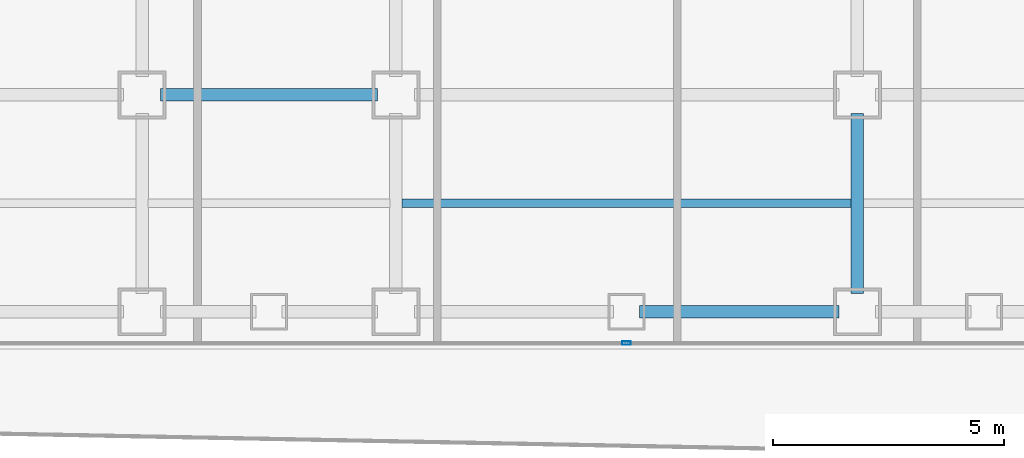
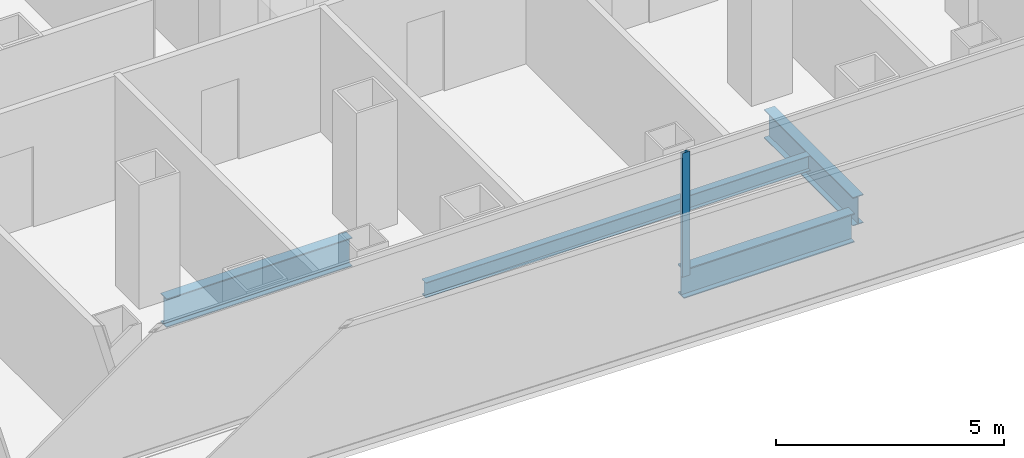
# One storey, part 4 of 22: 4 beams, 1 member, 1 element without a shape of its own.
"""IFC4 building model written with IfcOpenShell, lengths in metres."""

from ifc_helpers import new_model, si_unit, direction, frame, origin, origin_2d, place, context, subcontext, project, spatial, hollow_rectangle, i_section, extrude, source, transform, mapped, material, layer, layer_set, material_profile, profile_set, type_object, element, aggregate, save


model = new_model("IFC4")

# Units and contexts
model_context = context("Model", 3, precision=1e-05, world=origin(), true_north=direction((0.0, 1.0)))
body_context = subcontext(model_context, "Body", "Model", "MODEL_VIEW")
ifc_project = project(units=[si_unit("LENGTHUNIT", "METRE"), si_unit("AREAUNIT", "SQUARE_METRE"), si_unit("VOLUMEUNIT", "CUBIC_METRE"), si_unit("PLANEANGLEUNIT", "RADIAN"), si_unit("MASSUNIT", "GRAM", prefix="KILO")], contexts=[model_context])

# Site, building, storey
site_placement = place(None, origin())
site = spatial("IfcSite", under=ifc_project, at=site_placement, CompositionType="ELEMENT")
building_placement = place(site_placement, origin())
building = spatial("IfcBuilding", under=site, at=building_placement, Name="Kolveth Station Tower", CompositionType="ELEMENT")
storey_placement = place(building_placement, frame((0.0, 0.0, 51.300048828125)))
storey = spatial("IfcBuildingStorey", under=building, at=storey_placement, Name="L13", CompositionType="ELEMENT", Elevation=51.300048828125)

# Beams
ifc_material_1 = material(Name="Steel S355", Category="steel")
ifc_material_profile_1 = material_profile(ifc_material_1, i_section(OverallWidth=0.26904296875, OverallDepth=0.77490234375, WebThickness=0.01708984375, FlangeThickness=0.0283203125, at=origin_2d()), Name="W760x220")
ifc_profile_set_1 = profile_set([ifc_material_profile_1], Name="Steel S355")
beam_type_1 = type_object("IfcBeamType", Name="Beam_SP1", PredefinedType="SPANDREL", material=ifc_profile_set_1)
shared_shape_1 = source(origin(), body_context, "Body", "SweptSolid", [
    extrude(i_section(OverallWidth=0.26904296875, OverallDepth=0.77490234375, WebThickness=0.01708984375, FlangeThickness=0.0283203125, at=origin_2d()), origin(), (0.0, 0.0, 1.0), 4.320068359375),
])
beam_1_placement = place(storey_placement, frame((23.780029296875, 0.800048828125, -0.66748046875), z_axis=(1.0, 0.0, 0.0), x_axis=(0.0, 1.0, 0.0)))
element("IfcBeam", 1, at=beam_1_placement, inside=storey, type_object=beam_type_1, Name="L13 Perimeter Spandrel BM-L13-PS-6", PredefinedType="SPANDREL", context=body_context, shape_type="MappedRepresentation", body=[
    mapped(shared_shape_1, transform((0.0, 0.0, 0.0), x_axis=(1.0, 0.0, 0.0), y_axis=(0.0, 1.0, 0.0), z_axis=(0.0, 0.0, 1.0), scale=1.0)),
])
ifc_material_profile_2 = material_profile(ifc_material_1, i_section(OverallWidth=0.26708984375, OverallDepth=0.76611328125, WebThickness=0.014892578125, FlangeThickness=0.023681640625, at=origin_2d()), Name="W760x185")
ifc_profile_set_2 = profile_set([ifc_material_profile_2], Name="Steel S355")
beam_type_2 = type_object("IfcBeamType", Name="Beam_B3", PredefinedType="BEAM", material=ifc_profile_set_2)
shared_shape_2 = source(origin(), body_context, "Body", "SweptSolid", [
    extrude(i_section(OverallWidth=0.26708984375, OverallDepth=0.76611328125, WebThickness=0.014892578125, FlangeThickness=0.023681640625, at=origin_2d()), origin(), (0.0, 0.0, 1.0), 4.7001953125),
])
beam_2_placement = place(storey_placement, frame((13.39990234375, 5.5, -0.6630859375), z_axis=(1.0, 0.0, 0.0), x_axis=(0.0, 1.0, 0.0)))
element("IfcBeam", 2, at=beam_2_placement, inside=storey, type_object=beam_type_2, Name="L13 Primary Girder BM-L13-GY55-3", PredefinedType="BEAM", context=body_context, shape_type="MappedRepresentation", body=[
    mapped(shared_shape_2, transform((0.0, 0.0, 0.0), x_axis=(1.0, 0.0, 0.0), y_axis=(0.0, 1.0, 0.0), z_axis=(0.0, 0.0, 1.0), scale=1.0)),
])
shared_shape_3 = source(origin(), body_context, "Body", "SweptSolid", [
    extrude(i_section(OverallWidth=0.26708984375, OverallDepth=0.76611328125, WebThickness=0.014892578125, FlangeThickness=0.023681640625, at=origin_2d()), origin(), (0.0, 0.0, 1.0), 3.900146484375),
])
beam_3_placement = place(storey_placement, frame((28.5, 1.199951171875, -0.6630859375), z_axis=(0.0, 1.0, 0.0), x_axis=(-1.0, 0.0, 0.0)))
element("IfcBeam", 3, at=beam_3_placement, inside=storey, type_object=beam_type_2, Name="L13 Primary Girder BM-L13-GX285-1", PredefinedType="BEAM", context=body_context, shape_type="MappedRepresentation", body=[
    mapped(shared_shape_3, transform((0.0, 0.0, 0.0), x_axis=(1.0, 0.0, 0.0), y_axis=(0.0, 1.0, 0.0), z_axis=(0.0, 0.0, 1.0), scale=1.0)),
])
ifc_material_profile_3 = material_profile(ifc_material_1, i_section(OverallWidth=0.177978515625, OverallDepth=0.406982421875, WebThickness=0.0078125, FlangeThickness=0.0126953125, at=origin_2d()), Name="W410x60")
ifc_profile_set_3 = profile_set([ifc_material_profile_3], Name="Steel S355")
beam_type_3 = type_object("IfcBeamType", Name="Beam_J1", PredefinedType="JOIST", material=ifc_profile_set_3)
shared_shape_4 = source(origin(), body_context, "Body", "SweptSolid", [
    extrude(i_section(OverallWidth=0.177978515625, OverallDepth=0.406982421875, WebThickness=0.0078125, FlangeThickness=0.0126953125, at=origin_2d()), origin(), (0.0, 0.0, 1.0), 9.73681640625),
])
beam_4_placement = place(storey_placement, frame((18.631591796875, 3.14990234375, -0.483642578125), z_axis=(1.0, 0.0, 0.0), x_axis=(0.0, 1.0, 0.0)))
element("IfcBeam", 4, at=beam_4_placement, inside=storey, type_object=beam_type_3, Name="L13 Secondary Joist JST-L13-4-1", PredefinedType="JOIST", context=body_context, shape_type="MappedRepresentation", body=[
    mapped(shared_shape_4, transform((0.0, 0.0, 0.0), x_axis=(1.0, 0.0, 0.0), y_axis=(0.0, 1.0, 0.0), z_axis=(0.0, 0.0, 1.0), scale=1.0)),
])

# Curtain wall, member
ifc_material_2 = material(Name="Aluminium 6063-T6 and low-E dark glass", Category="aluminium")
ifc_layer = layer(ifc_material_2, 0.179931640625)
ifc_layer_set = layer_set([ifc_layer], Name="Aluminium 6063-T6 and low-E dark glass")
curtain_wall_type = type_object("IfcCurtainWallType", Name="CurtainWall_CW-Z1", PredefinedType="NOTDEFINED", material=ifc_layer_set)
curtain_wall_placement = place(storey_placement, origin())
curtain_wall = element("IfcCurtainWall", 5, at=curtain_wall_placement, inside=storey, type_object=curtain_wall_type, Name="L13 Inner Thermal Curtain Wall 12", PredefinedType="NOTDEFINED")
ifc_material_3 = material(Name="Black anodized aluminium 6063-T6", Category="aluminium")
ifc_material_profile_4 = material_profile(ifc_material_3, hollow_rectangle(XDim=0.074951171875, YDim=0.18994140625, WallThickness=0.0048828125, at=origin_2d()), Name="ALU-75x190x5")
ifc_profile_set_4 = profile_set([ifc_material_profile_4], Name="Black anodized aluminium 6063-T6")
member_type = type_object("IfcMemberType", Name="Mullion_ML1", PredefinedType="MULLION", material=ifc_profile_set_4)
shared_shape_5 = source(origin(), body_context, "Body", "SweptSolid", [
    extrude(hollow_rectangle(XDim=0.074951171875, YDim=0.18994140625, WallThickness=0.0048828125, at=origin_2d()), origin(), (0.0, 0.0, 1.0), 3.320068359375),
])
member_placement = place(storey_placement, frame((23.5, 0.1201171875, 0.0), z_axis=(0.0, 0.0, 1.0), x_axis=(0.0, 1.0, 0.0)))
member = element("IfcMember", 6, at=member_placement, type_object=member_type, Name="CW-Z1 mullion 2", PredefinedType="MULLION", context=body_context, shape_type="MappedRepresentation", body=[
    mapped(shared_shape_5, transform((0.0, 0.0, 0.0), x_axis=(1.0, 0.0, 0.0), y_axis=(0.0, 1.0, 0.0), z_axis=(0.0, 0.0, 1.0), scale=1.0)),
])
aggregate(curtain_wall, [member])

save(model, "model.ifc")
